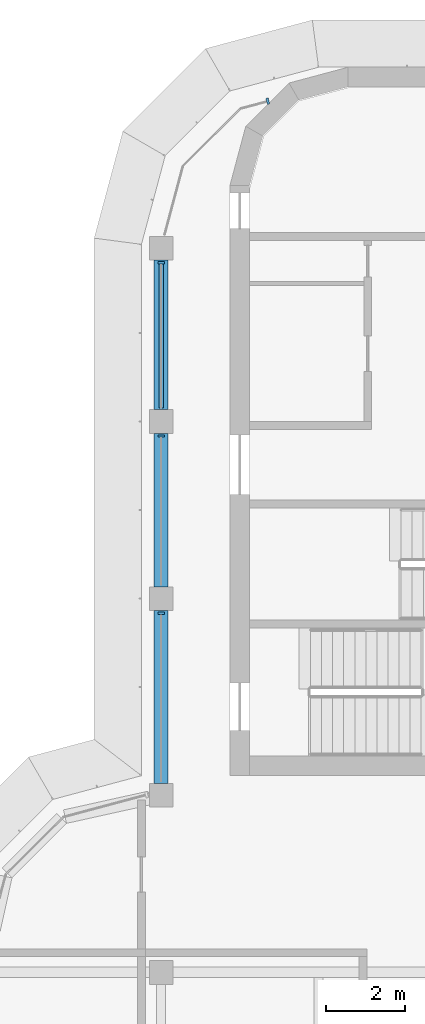
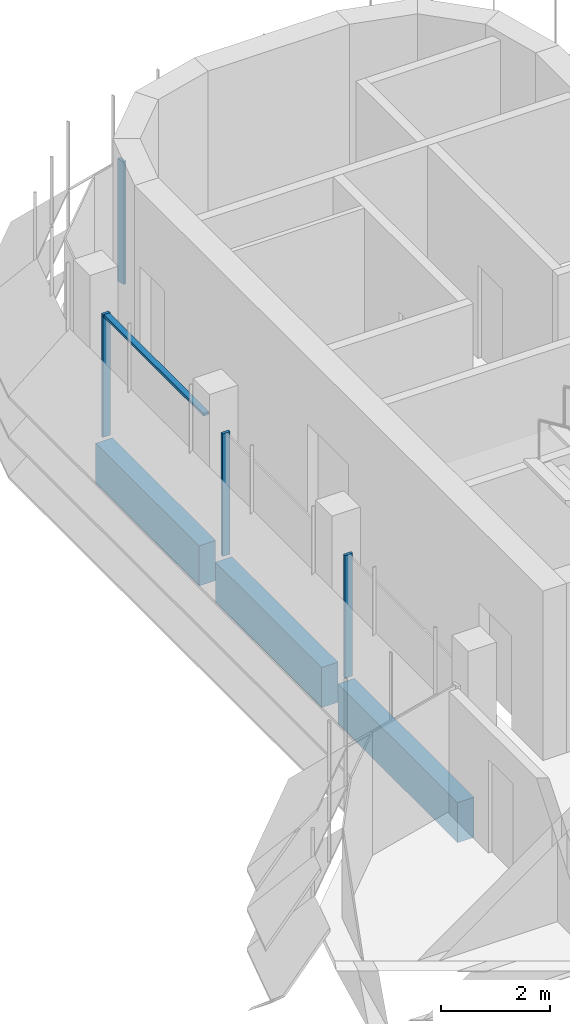
# One storey, part 7 of 19: 5 members, 3 beams, 2 elements without a shape of their own.
"""IFC4 building model written with IfcOpenShell, lengths in metres."""

from ifc_helpers import new_model, si_unit, direction, frame, origin, origin_2d, place, context, subcontext, project, spatial, polyline, rectangle, outline, extrude, source, transform, mapped, material, material_profile, profile_set, type_object, element, aggregate, save


model = new_model("IFC4")

# Units and contexts
model_context = context("Model", 3, precision=1e-05, world=origin(), true_north=direction((0.0, 1.0)))
body_context = subcontext(model_context, "Body", "Model", "MODEL_VIEW")
ifc_project = project(units=[si_unit("LENGTHUNIT", "METRE"), si_unit("AREAUNIT", "SQUARE_METRE"), si_unit("VOLUMEUNIT", "CUBIC_METRE"), si_unit("PLANEANGLEUNIT", "RADIAN"), si_unit("MASSUNIT", "GRAM", prefix="KILO")], contexts=[model_context])

# Site, building, storey
site_placement = place(None, origin())
site = spatial("IfcSite", under=ifc_project, at=site_placement, CompositionType="ELEMENT")
building_placement = place(site_placement, origin())
building = spatial("IfcBuilding", under=site, at=building_placement, Name="Zarbagh Exchange Tower", CompositionType="ELEMENT")
storey_placement = place(building_placement, frame((0.0, 0.0, 272.60009765625)))
storey = spatial("IfcBuildingStorey", under=building, at=storey_placement, Name="L67", CompositionType="ELEMENT", Elevation=272.60009765625)

# Beams
ifc_material_1 = material(Name="Concrete C40/50", Category="concrete")
ifc_material_profile = material_profile(ifc_material_1, rectangle(XDim=0.35009765625, YDim=0.89990234375, at=origin_2d()), Name="RC spandrel beam 350 x 900 C40/50")
ifc_profile_set = profile_set([ifc_material_profile], Name="Concrete C40/50")
beam_type = type_object("IfcBeamType", Name="RC spandrel beam 350 x 900 C40/50", PredefinedType="SPANDREL", material=ifc_profile_set)
beam_1_placement = place(storey_placement, frame((-6.25, 11.050048828125, -0.60009765625), z_axis=(0.0, 1.0, 0.0), x_axis=(-1.0, 0.0, 0.0)))
element("IfcBeam", 1, at=beam_1_placement, inside=storey, type_object=beam_type, Name="RC spandrel beam", PredefinedType="SPANDREL", context=body_context, shape_type="SweptSolid", body=[
    extrude(rectangle(XDim=0.35009765625, YDim=0.89990234375, at=origin_2d()), origin(), (0.0, 0.0, 1.0), 4.39990234375),
])
beam_2_placement = place(storey_placement, frame((-6.25, 16.050048828125, -0.60009765625), z_axis=(0.0, 1.0, 0.0), x_axis=(-1.0, 0.0, 0.0)))
element("IfcBeam", 2, at=beam_2_placement, inside=storey, type_object=beam_type, Name="RC spandrel beam", PredefinedType="SPANDREL", context=body_context, shape_type="SweptSolid", body=[
    extrude(rectangle(XDim=0.35009765625, YDim=0.89990234375, at=origin_2d()), origin(), (0.0, 0.0, 1.0), 3.89990234375),
])
beam_3_placement = place(storey_placement, frame((-6.25, 20.550048828125, -0.60009765625), z_axis=(0.0, 1.0, 0.0), x_axis=(-1.0, 0.0, 0.0)))
element("IfcBeam", 3, at=beam_3_placement, inside=storey, type_object=beam_type, Name="RC spandrel beam", PredefinedType="SPANDREL", context=body_context, shape_type="SweptSolid", body=[
    extrude(rectangle(XDim=0.35009765625, YDim=0.89990234375, at=origin_2d()), origin(), (0.0, 0.0, 1.0), 3.800048828125),
])

# Curtain wall, member
ifc_material_2 = material(Name="Anodised aluminium frame and glazing", Category="aluminium")
curtain_wall_type = type_object("IfcCurtainWallType", Name="CWB Ribbon glazing, upper zones", PredefinedType="NOTDEFINED", material=ifc_material_2)
curtain_wall_1_placement = place(storey_placement, origin())
curtain_wall_1 = element("IfcCurtainWall", 4, at=curtain_wall_1_placement, inside=storey, type_object=curtain_wall_type, Name="CWB70 curtain wall", PredefinedType="NOTDEFINED")
ifc_material_3 = material(Name="Anodised aluminium frame", Category="aluminium")
member_type_1 = type_object("IfcMemberType", Name="MUB Mullion, anodised aluminium frame", PredefinedType="MULLION", material=ifc_material_3)
shared_shape_1 = source(origin(), body_context, "Body", "SweptSolid", [
    extrude(outline(polyline([(0.0, -0.080078125), (0.06005859375, -0.080078125), (0.06005859375, 0.080078125), (0.0, 0.080078125), (0.0, -0.080078125)])), origin(), (0.0, 0.0, 1.0), 2.75),
])
placement = place(storey_placement, origin())
member_1 = element("IfcMember", 5, at=placement, type_object=member_type_1, Name="CWB70 mullion 1.1", PredefinedType="MULLION", context=body_context, shape_type="MappedRepresentation", body=[
    mapped(shared_shape_1, transform((-3.510009765625, 28.394775390625, 0.0), x_axis=(-0.965924289636, -0.258824779902, 0.0), y_axis=(0.258824779902, -0.965924289636, 0.0), z_axis=(0.0, 0.0, 1.0))),
])
aggregate(curtain_wall_1, [member_1])

# Curtain wall, members
curtain_wall_2_placement = place(storey_placement, origin())
curtain_wall_2 = element("IfcCurtainWall", 6, at=curtain_wall_2_placement, inside=storey, type_object=curtain_wall_type, Name="CWB73 curtain wall", PredefinedType="NOTDEFINED")
member_2 = element("IfcMember", 7, at=placement, type_object=member_type_1, Name="CWB73 mullion 1.1", PredefinedType="MULLION", context=body_context, shape_type="MappedRepresentation", body=[
    mapped(shared_shape_1, transform((-6.25, 24.31005859375, 0.0), x_axis=(0.0, -1.0, 0.0), y_axis=(1.0, 0.0, 0.0), z_axis=(0.0, 0.0, 1.0))),
])
member_3 = element("IfcMember", 8, at=placement, type_object=member_type_1, Name="CWB73 mullion 2.1", PredefinedType="MULLION", context=body_context, shape_type="MappedRepresentation", body=[
    mapped(shared_shape_1, transform((-6.25, 19.909912109375, 0.0), x_axis=(0.0, -1.0, 0.0), y_axis=(1.0, 0.0, 0.0), z_axis=(0.0, 0.0, 1.0))),
])
member_4 = element("IfcMember", 9, at=placement, type_object=member_type_1, Name="CWB73 mullion 3.1", PredefinedType="MULLION", context=body_context, shape_type="MappedRepresentation", body=[
    mapped(shared_shape_1, transform((-6.25, 15.409912109375, 0.0), x_axis=(0.0, -1.0, 0.0), y_axis=(1.0, 0.0, 0.0), z_axis=(0.0, 0.0, 1.0))),
])
member_type_2 = type_object("IfcMemberType", Name="TRB Transom, anodised aluminium frame", PredefinedType="USERDEFINED", material=ifc_material_3)
shared_shape_2 = source(origin(), body_context, "Body", "SweptSolid", [
    extrude(outline(polyline([(-0.06005859375, -0.06005859375), (0.0, -0.06005859375), (0.0, 0.06005859375), (-0.06005859375, 0.06005859375), (-0.06005859375, -0.06005859375)])), origin(), (0.0, 0.0, 1.0), 3.659912109375),
])
member_5 = element("IfcMember", 10, at=placement, type_object=member_type_2, Name="CWB73 transom 1.1", ObjectType="TRANSOM", PredefinedType="USERDEFINED", context=body_context, shape_type="MappedRepresentation", body=[
    mapped(shared_shape_2, transform((-6.25, 24.25, 2.75), x_axis=(0.0, 0.0, 1.0), y_axis=(-1.0, 0.0, 0.0), z_axis=(0.0, -1.0, 0.0))),
])
aggregate(curtain_wall_2, [member_2, member_5, member_3, member_4])

save(model, "model.ifc")
